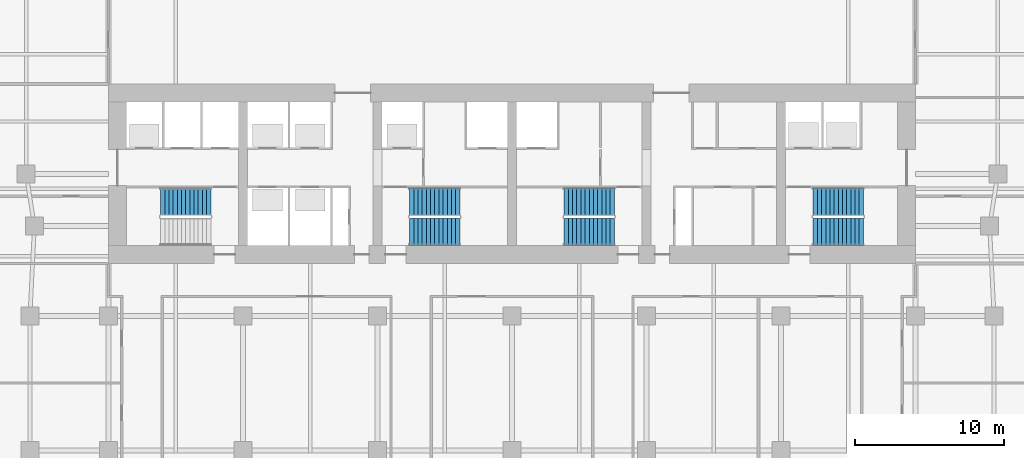
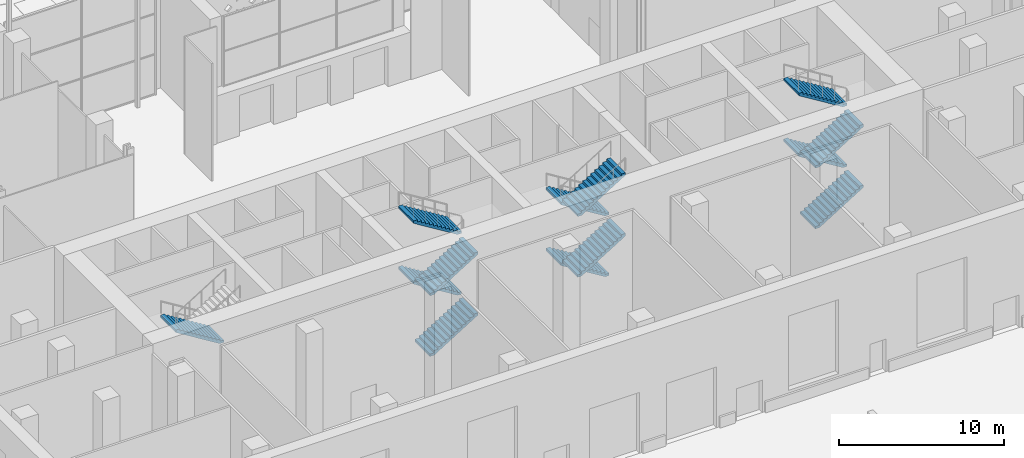
# One storey, part 15 of 23: 13 stair flights, 4 elements without a shape of their own.
"""IFC4 building model written with IfcOpenShell, lengths in metres."""

from ifc_helpers import new_model, si_unit, direction, frame, origin, place, context, subcontext, project, spatial, polyline, outline, extrude, material, type_object, element, aggregate, save


model = new_model("IFC4")

# Units and contexts
model_context = context("Model", 3, precision=1e-05, world=origin(), true_north=direction((0.0, 1.0)))
body_context = subcontext(model_context, "Body", "Model", "MODEL_VIEW")
ifc_project = project(units=[si_unit("LENGTHUNIT", "METRE"), si_unit("AREAUNIT", "SQUARE_METRE"), si_unit("VOLUMEUNIT", "CUBIC_METRE"), si_unit("PLANEANGLEUNIT", "RADIAN"), si_unit("MASSUNIT", "GRAM", prefix="KILO")], contexts=[model_context])

# Site, building, storey
site_placement = place(None, origin())
site = spatial("IfcSite", under=ifc_project, at=site_placement, CompositionType="ELEMENT")
building_placement = place(site_placement, origin())
building = spatial("IfcBuilding", under=site, at=building_placement, Name="Zellij Exchange Tower", CompositionType="ELEMENT")
storey_placement = place(building_placement, origin())
storey = spatial("IfcBuildingStorey", under=building, at=storey_placement, Name="L00", CompositionType="ELEMENT", Elevation=0.0)

# Stair, stair flight
ifc_material = material(Name="Concrete C40/50", Category="concrete")
stair_type = type_object("IfcStairType", Name="CORE-ST exit stair 1850 wide", PredefinedType="HALF_TURN_STAIR", material=ifc_material)
stair_1_placement = place(storey_placement, origin())
stair_1 = element("IfcStair", 1, at=stair_1_placement, inside=storey, type_object=stair_type, Name="L00 exit stair ST1", PredefinedType="HALF_TURN_STAIR")
stair_flight_type = type_object("IfcStairFlightType", Name="CORE-SF flight 1850 riser 173.1 going 280", PredefinedType="STRAIGHT", material=ifc_material)
stair_flight_1_placement = place(storey_placement, frame((-20.14990234375, -9.875, 4.5), z_axis=(0.0, 0.0, 1.0), x_axis=(-1.0, 0.0, 0.0)))
stair_flight_1 = element("IfcStairFlight", 2, at=stair_flight_1_placement, type_object=stair_flight_type, Name="ST1 flight 3", NumberOfRisers=13, NumberOfTreads=12, PredefinedType="STRAIGHT", RiserHeight=0.173076923, TreadLength=0.28, context=body_context, shape_type="SweptSolid", body=[
    extrude(outline(polyline([(0.0, 0.0), (0.0, 0.173095703125), (0.280029296875, 0.173095703125), (0.280029296875, 0.34619140625), (0.56005859375, 0.34619140625), (0.56005859375, 0.519287109375), (0.840087890625, 0.519287109375), (0.840087890625, 0.6923828125), (1.1201171875, 0.6923828125), (1.1201171875, 0.865478515625), (1.39990234375, 0.865478515625), (1.39990234375, 1.03857421875), (1.679931640625, 1.03857421875), (1.679931640625, 1.21142578125), (1.9599609375, 1.21142578125), (1.9599609375, 1.384521484375), (2.239990234375, 1.384521484375), (2.239990234375, 1.5576171875), (2.52001953125, 1.5576171875), (2.52001953125, 1.730712890625), (2.800048828125, 1.730712890625), (2.800048828125, 1.90380859375), (3.080078125, 1.90380859375), (3.080078125, 2.076904296875), (3.360107421875, 2.076904296875), (3.360107421875, 2.25), (3.360107421875, 1.900634765625), (0.28515625, 0.0), (0.0, 0.0)])), frame((0.0, 0.925048828125, 0.0), z_axis=(0.0, -1.0, 0.0), x_axis=(1.0, 0.0, 0.0)), (0.0, 0.0, 1.0), 1.85009765625),
])
aggregate(stair_1, [stair_flight_1])

# Stair, stair flights
stair_2_placement = place(storey_placement, origin())
stair_2 = element("IfcStair", 3, at=stair_2_placement, inside=storey, type_object=stair_type, Name="L00 exit stair ST2", PredefinedType="HALF_TURN_STAIR")
stair_flight_2_placement = place(storey_placement, frame((-6.85009765625, -11.875, 0.0), z_axis=(0.0, 0.0, 1.0), x_axis=(1.0, 0.0, 0.0)))
stair_flight_2 = element("IfcStairFlight", 4, at=stair_flight_2_placement, type_object=stair_flight_type, Name="ST2 flight 1", NumberOfRisers=13, NumberOfTreads=12, PredefinedType="STRAIGHT", RiserHeight=0.173076923, TreadLength=0.28, context=body_context, shape_type="SweptSolid", body=[
    extrude(outline(polyline([(0.0, 0.0), (0.0, 0.173095703125), (0.280029296875, 0.173095703125), (0.280029296875, 0.34619140625), (0.56005859375, 0.34619140625), (0.56005859375, 0.519287109375), (0.840087890625, 0.519287109375), (0.840087890625, 0.6923828125), (1.1201171875, 0.6923828125), (1.1201171875, 0.865478515625), (1.39990234375, 0.865478515625), (1.39990234375, 1.03857421875), (1.679931640625, 1.03857421875), (1.679931640625, 1.21142578125), (1.9599609375, 1.21142578125), (1.9599609375, 1.384521484375), (2.239990234375, 1.384521484375), (2.239990234375, 1.5576171875), (2.52001953125, 1.5576171875), (2.52001953125, 1.730712890625), (2.800048828125, 1.730712890625), (2.800048828125, 1.90380859375), (3.080078125, 1.90380859375), (3.080078125, 2.076904296875), (3.360107421875, 2.076904296875), (3.360107421875, 2.25), (3.360107421875, 1.900634765625), (0.28515625, 0.0), (0.0, 0.0)])), frame((0.0, 0.925048828125, 0.0), z_axis=(0.0, -1.0, 0.0), x_axis=(1.0, 0.0, 0.0)), (0.0, 0.0, 1.0), 1.85009765625),
])
stair_flight_3_placement = place(storey_placement, frame((-3.489990234375, -9.875, 2.25), z_axis=(0.0, 0.0, 1.0), x_axis=(-1.0, 0.0, 0.0)))
stair_flight_3 = element("IfcStairFlight", 5, at=stair_flight_3_placement, type_object=stair_flight_type, Name="ST2 flight 2", NumberOfRisers=13, NumberOfTreads=12, PredefinedType="STRAIGHT", RiserHeight=0.173076923, TreadLength=0.28, context=body_context, shape_type="SweptSolid", body=[
    extrude(outline(polyline([(0.0, 0.0), (0.0, 0.173095703125), (0.280029296875, 0.173095703125), (0.280029296875, 0.34619140625), (0.56005859375, 0.34619140625), (0.56005859375, 0.519287109375), (0.840087890625, 0.519287109375), (0.840087890625, 0.6923828125), (1.1201171875, 0.6923828125), (1.1201171875, 0.865478515625), (1.39990234375, 0.865478515625), (1.39990234375, 1.03857421875), (1.679931640625, 1.03857421875), (1.679931640625, 1.21142578125), (1.9599609375, 1.21142578125), (1.9599609375, 1.384521484375), (2.239990234375, 1.384521484375), (2.239990234375, 1.5576171875), (2.52001953125, 1.5576171875), (2.52001953125, 1.730712890625), (2.800048828125, 1.730712890625), (2.800048828125, 1.90380859375), (3.080078125, 1.90380859375), (3.080078125, 2.076904296875), (3.360107421875, 2.076904296875), (3.360107421875, 2.25), (3.360107421875, 1.900634765625), (0.28515625, 0.0), (0.0, 0.0)])), frame((0.0, 0.925048828125, 0.0), z_axis=(0.0, -1.0, 0.0), x_axis=(1.0, 0.0, 0.0)), (0.0, 0.0, 1.0), 1.85009765625),
])
stair_flight_4_placement = place(storey_placement, frame((-6.85009765625, -11.875, 4.5), z_axis=(0.0, 0.0, 1.0), x_axis=(1.0, 0.0, 0.0)))
stair_flight_4 = element("IfcStairFlight", 6, at=stair_flight_4_placement, type_object=stair_flight_type, Name="ST2 flight 3", NumberOfRisers=13, NumberOfTreads=12, PredefinedType="STRAIGHT", RiserHeight=0.173076923, TreadLength=0.28, context=body_context, shape_type="SweptSolid", body=[
    extrude(outline(polyline([(0.0, 0.0), (0.0, 0.173095703125), (0.280029296875, 0.173095703125), (0.280029296875, 0.34619140625), (0.56005859375, 0.34619140625), (0.56005859375, 0.519287109375), (0.840087890625, 0.519287109375), (0.840087890625, 0.6923828125), (1.1201171875, 0.6923828125), (1.1201171875, 0.865478515625), (1.39990234375, 0.865478515625), (1.39990234375, 1.03857421875), (1.679931640625, 1.03857421875), (1.679931640625, 1.21142578125), (1.9599609375, 1.21142578125), (1.9599609375, 1.384521484375), (2.239990234375, 1.384521484375), (2.239990234375, 1.5576171875), (2.52001953125, 1.5576171875), (2.52001953125, 1.730712890625), (2.800048828125, 1.730712890625), (2.800048828125, 1.90380859375), (3.080078125, 1.90380859375), (3.080078125, 2.076904296875), (3.360107421875, 2.076904296875), (3.360107421875, 2.25), (3.360107421875, 1.900634765625), (0.28515625, 0.0), (0.0, 0.0)])), frame((0.0, 0.925048828125, 0.0), z_axis=(0.0, -1.0, 0.0), x_axis=(1.0, 0.0, 0.0)), (0.0, 0.0, 1.0), 1.85009765625),
])
stair_flight_5_placement = place(storey_placement, frame((-3.489990234375, -9.875, 6.75), z_axis=(0.0, 0.0, 1.0), x_axis=(-1.0, 0.0, 0.0)))
stair_flight_5 = element("IfcStairFlight", 7, at=stair_flight_5_placement, type_object=stair_flight_type, Name="ST2 flight 4", NumberOfRisers=13, NumberOfTreads=12, PredefinedType="STRAIGHT", RiserHeight=0.173076923, TreadLength=0.28, context=body_context, shape_type="SweptSolid", body=[
    extrude(outline(polyline([(0.0, 0.0), (0.0, 0.173095703125), (0.280029296875, 0.173095703125), (0.280029296875, 0.34619140625), (0.56005859375, 0.34619140625), (0.56005859375, 0.519287109375), (0.840087890625, 0.519287109375), (0.840087890625, 0.6923828125), (1.1201171875, 0.6923828125), (1.1201171875, 0.865478515625), (1.39990234375, 0.865478515625), (1.39990234375, 1.03857421875), (1.679931640625, 1.03857421875), (1.679931640625, 1.21142578125), (1.9599609375, 1.21142578125), (1.9599609375, 1.384521484375), (2.239990234375, 1.384521484375), (2.239990234375, 1.5576171875), (2.52001953125, 1.5576171875), (2.52001953125, 1.730712890625), (2.800048828125, 1.730712890625), (2.800048828125, 1.90380859375), (3.080078125, 1.90380859375), (3.080078125, 2.076904296875), (3.360107421875, 2.076904296875), (3.360107421875, 2.25), (3.360107421875, 1.900634765625), (0.28515625, 0.0), (0.0, 0.0)])), frame((0.0, 0.925048828125, 0.0), z_axis=(0.0, -1.0, 0.0), x_axis=(1.0, 0.0, 0.0)), (0.0, 0.0, 1.0), 1.85009765625),
])
aggregate(stair_2, [stair_flight_2, stair_flight_3, stair_flight_4, stair_flight_5])

stair_3_placement = place(storey_placement, origin())
stair_3 = element("IfcStair", 8, at=stair_3_placement, inside=storey, type_object=stair_type, Name="L00 exit stair ST3", PredefinedType="HALF_TURN_STAIR")
stair_flight_6_placement = place(storey_placement, frame((6.85009765625, -9.875, 0.0), z_axis=(0.0, 0.0, 1.0), x_axis=(-1.0, 0.0, 0.0)))
stair_flight_6 = element("IfcStairFlight", 9, at=stair_flight_6_placement, type_object=stair_flight_type, Name="ST3 flight 1", NumberOfRisers=13, NumberOfTreads=12, PredefinedType="STRAIGHT", RiserHeight=0.173076923, TreadLength=0.28, context=body_context, shape_type="SweptSolid", body=[
    extrude(outline(polyline([(0.0, 0.0), (0.0, 0.173095703125), (0.280029296875, 0.173095703125), (0.280029296875, 0.34619140625), (0.56005859375, 0.34619140625), (0.56005859375, 0.519287109375), (0.840087890625, 0.519287109375), (0.840087890625, 0.6923828125), (1.1201171875, 0.6923828125), (1.1201171875, 0.865478515625), (1.39990234375, 0.865478515625), (1.39990234375, 1.03857421875), (1.679931640625, 1.03857421875), (1.679931640625, 1.21142578125), (1.9599609375, 1.21142578125), (1.9599609375, 1.384521484375), (2.239990234375, 1.384521484375), (2.239990234375, 1.5576171875), (2.52001953125, 1.5576171875), (2.52001953125, 1.730712890625), (2.800048828125, 1.730712890625), (2.800048828125, 1.90380859375), (3.080078125, 1.90380859375), (3.080078125, 2.076904296875), (3.360107421875, 2.076904296875), (3.360107421875, 2.25), (3.360107421875, 1.900634765625), (0.28515625, 0.0), (0.0, 0.0)])), frame((0.0, 0.925048828125, 0.0), z_axis=(0.0, -1.0, 0.0), x_axis=(1.0, 0.0, 0.0)), (0.0, 0.0, 1.0), 1.85009765625),
])
stair_flight_7_placement = place(storey_placement, frame((3.489990234375, -11.875, 2.25), z_axis=(0.0, 0.0, 1.0), x_axis=(1.0, 0.0, 0.0)))
stair_flight_7 = element("IfcStairFlight", 10, at=stair_flight_7_placement, type_object=stair_flight_type, Name="ST3 flight 2", NumberOfRisers=13, NumberOfTreads=12, PredefinedType="STRAIGHT", RiserHeight=0.173076923, TreadLength=0.28, context=body_context, shape_type="SweptSolid", body=[
    extrude(outline(polyline([(0.0, 0.0), (0.0, 0.173095703125), (0.280029296875, 0.173095703125), (0.280029296875, 0.34619140625), (0.56005859375, 0.34619140625), (0.56005859375, 0.519287109375), (0.840087890625, 0.519287109375), (0.840087890625, 0.6923828125), (1.1201171875, 0.6923828125), (1.1201171875, 0.865478515625), (1.39990234375, 0.865478515625), (1.39990234375, 1.03857421875), (1.679931640625, 1.03857421875), (1.679931640625, 1.21142578125), (1.9599609375, 1.21142578125), (1.9599609375, 1.384521484375), (2.239990234375, 1.384521484375), (2.239990234375, 1.5576171875), (2.52001953125, 1.5576171875), (2.52001953125, 1.730712890625), (2.800048828125, 1.730712890625), (2.800048828125, 1.90380859375), (3.080078125, 1.90380859375), (3.080078125, 2.076904296875), (3.360107421875, 2.076904296875), (3.360107421875, 2.25), (3.360107421875, 1.900634765625), (0.28515625, 0.0), (0.0, 0.0)])), frame((0.0, 0.925048828125, 0.0), z_axis=(0.0, -1.0, 0.0), x_axis=(1.0, 0.0, 0.0)), (0.0, 0.0, 1.0), 1.85009765625),
])
stair_flight_8_placement = place(storey_placement, frame((6.85009765625, -9.875, 4.5), z_axis=(0.0, 0.0, 1.0), x_axis=(-1.0, 0.0, 0.0)))
stair_flight_8 = element("IfcStairFlight", 11, at=stair_flight_8_placement, type_object=stair_flight_type, Name="ST3 flight 3", NumberOfRisers=13, NumberOfTreads=12, PredefinedType="STRAIGHT", RiserHeight=0.173076923, TreadLength=0.28, context=body_context, shape_type="SweptSolid", body=[
    extrude(outline(polyline([(0.0, 0.0), (0.0, 0.173095703125), (0.280029296875, 0.173095703125), (0.280029296875, 0.34619140625), (0.56005859375, 0.34619140625), (0.56005859375, 0.519287109375), (0.840087890625, 0.519287109375), (0.840087890625, 0.6923828125), (1.1201171875, 0.6923828125), (1.1201171875, 0.865478515625), (1.39990234375, 0.865478515625), (1.39990234375, 1.03857421875), (1.679931640625, 1.03857421875), (1.679931640625, 1.21142578125), (1.9599609375, 1.21142578125), (1.9599609375, 1.384521484375), (2.239990234375, 1.384521484375), (2.239990234375, 1.5576171875), (2.52001953125, 1.5576171875), (2.52001953125, 1.730712890625), (2.800048828125, 1.730712890625), (2.800048828125, 1.90380859375), (3.080078125, 1.90380859375), (3.080078125, 2.076904296875), (3.360107421875, 2.076904296875), (3.360107421875, 2.25), (3.360107421875, 1.900634765625), (0.28515625, 0.0), (0.0, 0.0)])), frame((0.0, 0.925048828125, 0.0), z_axis=(0.0, -1.0, 0.0), x_axis=(1.0, 0.0, 0.0)), (0.0, 0.0, 1.0), 1.85009765625),
])
stair_flight_9_placement = place(storey_placement, frame((3.489990234375, -11.875, 6.75), z_axis=(0.0, 0.0, 1.0), x_axis=(1.0, 0.0, 0.0)))
stair_flight_9 = element("IfcStairFlight", 12, at=stair_flight_9_placement, type_object=stair_flight_type, Name="ST3 flight 4", NumberOfRisers=13, NumberOfTreads=12, PredefinedType="STRAIGHT", RiserHeight=0.173076923, TreadLength=0.28, context=body_context, shape_type="SweptSolid", body=[
    extrude(outline(polyline([(0.0, 0.0), (0.0, 0.173095703125), (0.280029296875, 0.173095703125), (0.280029296875, 0.34619140625), (0.56005859375, 0.34619140625), (0.56005859375, 0.519287109375), (0.840087890625, 0.519287109375), (0.840087890625, 0.6923828125), (1.1201171875, 0.6923828125), (1.1201171875, 0.865478515625), (1.39990234375, 0.865478515625), (1.39990234375, 1.03857421875), (1.679931640625, 1.03857421875), (1.679931640625, 1.21142578125), (1.9599609375, 1.21142578125), (1.9599609375, 1.384521484375), (2.239990234375, 1.384521484375), (2.239990234375, 1.5576171875), (2.52001953125, 1.5576171875), (2.52001953125, 1.730712890625), (2.800048828125, 1.730712890625), (2.800048828125, 1.90380859375), (3.080078125, 1.90380859375), (3.080078125, 2.076904296875), (3.360107421875, 2.076904296875), (3.360107421875, 2.25), (3.360107421875, 1.900634765625), (0.28515625, 0.0), (0.0, 0.0)])), frame((0.0, 0.925048828125, 0.0), z_axis=(0.0, -1.0, 0.0), x_axis=(1.0, 0.0, 0.0)), (0.0, 0.0, 1.0), 1.85009765625),
])
aggregate(stair_3, [stair_flight_6, stair_flight_7, stair_flight_8, stair_flight_9])

stair_4_placement = place(storey_placement, origin())
stair_4 = element("IfcStair", 13, at=stair_4_placement, inside=storey, type_object=stair_type, Name="L00 exit stair ST4", PredefinedType="HALF_TURN_STAIR")
stair_flight_10_placement = place(storey_placement, frame((20.14990234375, -11.875, 0.0), z_axis=(0.0, 0.0, 1.0), x_axis=(1.0, 0.0, 0.0)))
stair_flight_10 = element("IfcStairFlight", 14, at=stair_flight_10_placement, type_object=stair_flight_type, Name="ST4 flight 1", NumberOfRisers=13, NumberOfTreads=12, PredefinedType="STRAIGHT", RiserHeight=0.173076923, TreadLength=0.28, context=body_context, shape_type="SweptSolid", body=[
    extrude(outline(polyline([(0.0, 0.0), (0.0, 0.173095703125), (0.280029296875, 0.173095703125), (0.280029296875, 0.34619140625), (0.56005859375, 0.34619140625), (0.56005859375, 0.519287109375), (0.840087890625, 0.519287109375), (0.840087890625, 0.6923828125), (1.1201171875, 0.6923828125), (1.1201171875, 0.865478515625), (1.39990234375, 0.865478515625), (1.39990234375, 1.03857421875), (1.679931640625, 1.03857421875), (1.679931640625, 1.21142578125), (1.9599609375, 1.21142578125), (1.9599609375, 1.384521484375), (2.239990234375, 1.384521484375), (2.239990234375, 1.5576171875), (2.52001953125, 1.5576171875), (2.52001953125, 1.730712890625), (2.800048828125, 1.730712890625), (2.800048828125, 1.90380859375), (3.080078125, 1.90380859375), (3.080078125, 2.076904296875), (3.360107421875, 2.076904296875), (3.360107421875, 2.25), (3.360107421875, 1.900634765625), (0.28515625, 0.0), (0.0, 0.0)])), frame((0.0, 0.925048828125, 0.0), z_axis=(0.0, -1.0, 0.0), x_axis=(1.0, 0.0, 0.0)), (0.0, 0.0, 1.0), 1.85009765625),
])
stair_flight_11_placement = place(storey_placement, frame((23.510009765625, -9.875, 2.25), z_axis=(0.0, 0.0, 1.0), x_axis=(-1.0, 0.0, 0.0)))
stair_flight_11 = element("IfcStairFlight", 15, at=stair_flight_11_placement, type_object=stair_flight_type, Name="ST4 flight 2", NumberOfRisers=13, NumberOfTreads=12, PredefinedType="STRAIGHT", RiserHeight=0.173076923, TreadLength=0.28, context=body_context, shape_type="SweptSolid", body=[
    extrude(outline(polyline([(0.0, 0.0), (0.0, 0.173095703125), (0.280029296875, 0.173095703125), (0.280029296875, 0.34619140625), (0.56005859375, 0.34619140625), (0.56005859375, 0.519287109375), (0.840087890625, 0.519287109375), (0.840087890625, 0.6923828125), (1.1201171875, 0.6923828125), (1.1201171875, 0.865478515625), (1.39990234375, 0.865478515625), (1.39990234375, 1.03857421875), (1.679931640625, 1.03857421875), (1.679931640625, 1.21142578125), (1.9599609375, 1.21142578125), (1.9599609375, 1.384521484375), (2.239990234375, 1.384521484375), (2.239990234375, 1.5576171875), (2.52001953125, 1.5576171875), (2.52001953125, 1.730712890625), (2.800048828125, 1.730712890625), (2.800048828125, 1.90380859375), (3.080078125, 1.90380859375), (3.080078125, 2.076904296875), (3.360107421875, 2.076904296875), (3.360107421875, 2.25), (3.360107421875, 1.900634765625), (0.28515625, 0.0), (0.0, 0.0)])), frame((0.0, 0.925048828125, 0.0), z_axis=(0.0, -1.0, 0.0), x_axis=(1.0, 0.0, 0.0)), (0.0, 0.0, 1.0), 1.85009765625),
])
stair_flight_12_placement = place(storey_placement, frame((20.14990234375, -11.875, 4.5), z_axis=(0.0, 0.0, 1.0), x_axis=(1.0, 0.0, 0.0)))
stair_flight_12 = element("IfcStairFlight", 16, at=stair_flight_12_placement, type_object=stair_flight_type, Name="ST4 flight 3", NumberOfRisers=13, NumberOfTreads=12, PredefinedType="STRAIGHT", RiserHeight=0.173076923, TreadLength=0.28, context=body_context, shape_type="SweptSolid", body=[
    extrude(outline(polyline([(0.0, 0.0), (0.0, 0.173095703125), (0.280029296875, 0.173095703125), (0.280029296875, 0.34619140625), (0.56005859375, 0.34619140625), (0.56005859375, 0.519287109375), (0.840087890625, 0.519287109375), (0.840087890625, 0.6923828125), (1.1201171875, 0.6923828125), (1.1201171875, 0.865478515625), (1.39990234375, 0.865478515625), (1.39990234375, 1.03857421875), (1.679931640625, 1.03857421875), (1.679931640625, 1.21142578125), (1.9599609375, 1.21142578125), (1.9599609375, 1.384521484375), (2.239990234375, 1.384521484375), (2.239990234375, 1.5576171875), (2.52001953125, 1.5576171875), (2.52001953125, 1.730712890625), (2.800048828125, 1.730712890625), (2.800048828125, 1.90380859375), (3.080078125, 1.90380859375), (3.080078125, 2.076904296875), (3.360107421875, 2.076904296875), (3.360107421875, 2.25), (3.360107421875, 1.900634765625), (0.28515625, 0.0), (0.0, 0.0)])), frame((0.0, 0.925048828125, 0.0), z_axis=(0.0, -1.0, 0.0), x_axis=(1.0, 0.0, 0.0)), (0.0, 0.0, 1.0), 1.85009765625),
])
stair_flight_13_placement = place(storey_placement, frame((23.510009765625, -9.875, 6.75), z_axis=(0.0, 0.0, 1.0), x_axis=(-1.0, 0.0, 0.0)))
stair_flight_13 = element("IfcStairFlight", 17, at=stair_flight_13_placement, type_object=stair_flight_type, Name="ST4 flight 4", NumberOfRisers=13, NumberOfTreads=12, PredefinedType="STRAIGHT", RiserHeight=0.173076923, TreadLength=0.28, context=body_context, shape_type="SweptSolid", body=[
    extrude(outline(polyline([(0.0, 0.0), (0.0, 0.173095703125), (0.280029296875, 0.173095703125), (0.280029296875, 0.34619140625), (0.56005859375, 0.34619140625), (0.56005859375, 0.519287109375), (0.840087890625, 0.519287109375), (0.840087890625, 0.6923828125), (1.1201171875, 0.6923828125), (1.1201171875, 0.865478515625), (1.39990234375, 0.865478515625), (1.39990234375, 1.03857421875), (1.679931640625, 1.03857421875), (1.679931640625, 1.21142578125), (1.9599609375, 1.21142578125), (1.9599609375, 1.384521484375), (2.239990234375, 1.384521484375), (2.239990234375, 1.5576171875), (2.52001953125, 1.5576171875), (2.52001953125, 1.730712890625), (2.800048828125, 1.730712890625), (2.800048828125, 1.90380859375), (3.080078125, 1.90380859375), (3.080078125, 2.076904296875), (3.360107421875, 2.076904296875), (3.360107421875, 2.25), (3.360107421875, 1.900634765625), (0.28515625, 0.0), (0.0, 0.0)])), frame((0.0, 0.925048828125, 0.0), z_axis=(0.0, -1.0, 0.0), x_axis=(1.0, 0.0, 0.0)), (0.0, 0.0, 1.0), 1.85009765625),
])
aggregate(stair_4, [stair_flight_10, stair_flight_11, stair_flight_12, stair_flight_13])

save(model, "model.ifc")
